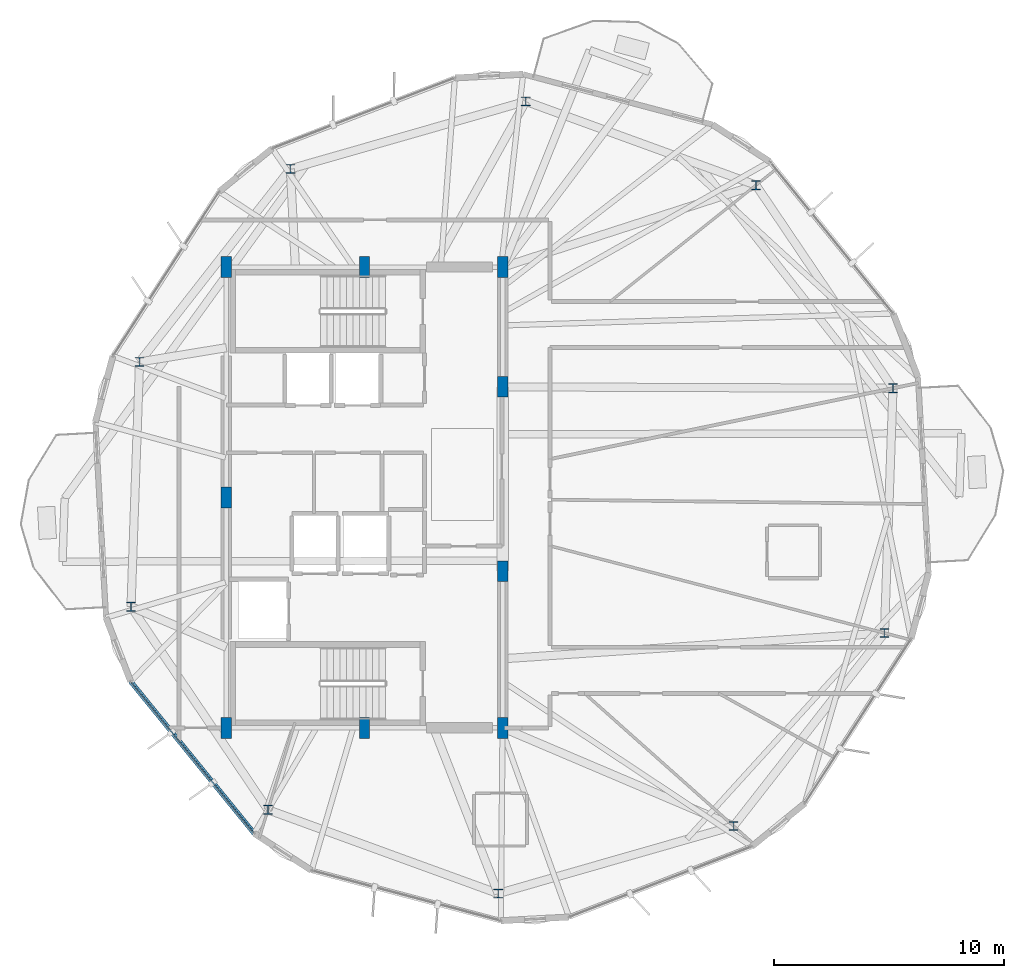
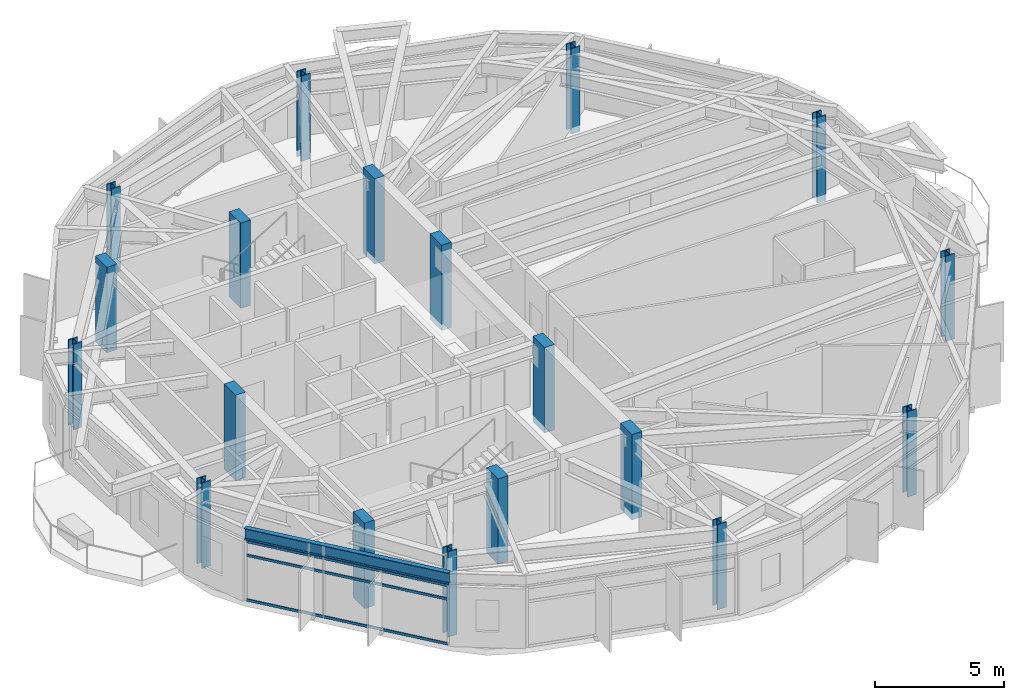
# One storey, part 1 of 26: 19 columns, 3 members, 1 beam, 1 element without a shape of its own.
"""IFC4 building model written with IfcOpenShell, lengths in metres."""

import ifcopenshell
import ifcopenshell.guid

model = None  # the IFC model being written
_history = None  # IfcOwnerHistory: only IFC2X3 demands one
_inside = {}  # id of a spatial element -> (the spatial element, [elements in it])
_under = {}  # id of a project, library or spatial element -> (it, [spatial elements below it])
_declared = {}  # id of a project -> (the project, [libraries it declares])
_typed = {}  # id of a type object -> (the type object, [elements of that type])
_made_of = {}  # id of a material, layer set ... -> (it, [elements and type objects made of it])


def new_model(schema):
    """Start an empty IFC model of exactly this schema.

    Asked for "IFC4X3", IfcOpenShell would pick the latest addendum, in which some entities
    have other attributes; the version numbers below select the first issue.
    IFC2X3 requires an IfcOwnerHistory on every rooted entity: one is made here for all.
    """
    global model, _history
    if schema == "IFC4X3":
        model = ifcopenshell.file(schema_version=(4, 3, 0, 0))
    else:
        model = ifcopenshell.file(schema=schema)
    _inside.clear()
    _under.clear()
    _declared.clear()
    _typed.clear()
    _made_of.clear()
    _history = None
    if model.schema == "IFC2X3":
        org = make("IfcOrganization", Name="unknown")
        user = make(
            "IfcPersonAndOrganization",
            ThePerson=make("IfcPerson", FamilyName="unknown"),
            TheOrganization=org,
        )
        app = make(
            "IfcApplication",
            ApplicationDeveloper=org,
            Version="unknown",
            ApplicationFullName="unknown",
            ApplicationIdentifier="unknown",
        )
        _history = make(
            "IfcOwnerHistory",
            OwningUser=user,
            OwningApplication=app,
            ChangeAction="ADDED",
            CreationDate=0,
        )
    return model


def make(cls, **values):
    """One entity of the class cls with the attributes given. An attribute that is None is left unset."""
    return model.create_entity(
        cls, **{name: value for name, value in values.items() if value is not None}
    )


def rooted(cls, **values):
    """An entity with a GlobalId (a new one), such as an element, a storey or a relation."""
    return make(cls, GlobalId=ifcopenshell.guid.new(), OwnerHistory=_history, **values)


def si_unit(unit_type, name, prefix=None):
    """IfcSIUnit, for example si_unit("LENGTHUNIT", "METRE", prefix="MILLI")."""
    return make("IfcSIUnit", UnitType=unit_type, Prefix=prefix, Name=name)


def assignment(units):
    """IfcUnitAssignment: the units of a project."""
    return None if units is None else make("IfcUnitAssignment", Units=units)


def point(xyz):
    """IfcCartesianPoint."""
    return None if xyz is None else make("IfcCartesianPoint", Coordinates=xyz)


def direction(xyz):
    """IfcDirection."""
    return None if xyz is None else make("IfcDirection", DirectionRatios=xyz)


def frame(location, z_axis=None, x_axis=None):
    """IfcAxis2Placement3D, a coordinate frame: its origin and axes. An axis left out is left unset."""
    return make(
        "IfcAxis2Placement3D",
        Location=point(location),
        Axis=direction(z_axis),
        RefDirection=direction(x_axis),
    )


def frame_2d(location, x_axis=None):
    """IfcAxis2Placement2D, a coordinate frame in the plane: its origin and x axis."""
    return make(
        "IfcAxis2Placement2D", Location=point(location), RefDirection=direction(x_axis)
    )


def origin():
    """The frame at (0, 0, 0) with its axes left unset."""
    return frame((0.0, 0.0, 0.0))


def origin_2d():
    """The frame at (0, 0) in the plane with its x axis left unset."""
    return frame_2d((0.0, 0.0))


def place(relative_to, where):
    """IfcLocalPlacement: puts the frame where relative to a parent placement (None: the world)."""
    return make(
        "IfcLocalPlacement", PlacementRelTo=relative_to, RelativePlacement=where
    )


def context(
    kind, dimensions, precision=None, world=None, true_north=None, identifier=None
):
    """IfcGeometricRepresentationContext, for example the 3D "Model" context."""
    return make(
        "IfcGeometricRepresentationContext",
        ContextIdentifier=identifier,
        ContextType=kind,
        CoordinateSpaceDimension=dimensions,
        Precision=precision,
        WorldCoordinateSystem=world,
        TrueNorth=true_north,
    )


def subcontext(parent, identifier, kind, view, scale=None):
    """IfcGeometricRepresentationSubContext, for example "Body" below "Model"."""
    return make(
        "IfcGeometricRepresentationSubContext",
        ContextIdentifier=identifier,
        ContextType=kind,
        ParentContext=parent,
        TargetScale=scale,
        TargetView=view,
    )


def project(units=None, contexts=None):
    """IfcProject with its units and contexts."""
    return rooted(
        "IfcProject",
        Name="project",
        RepresentationContexts=contexts,
        UnitsInContext=assignment(units),
    )


def spatial(cls, under=None, at=None, **own):
    """A site, building, storey or space (cls), placed at a placement, below another one or the project."""
    s = rooted(cls, ObjectPlacement=at, **own)
    if under is not None:
        _under.setdefault(under.id(), (under, []))[1].append(s)
    return s


def profile(cls, at=None, kind="AREA", **sizes):
    """A parametric profile (cls). Its sizes go by their IFC names, for example OverallWidth=200.0."""
    return make(cls, ProfileType=kind, Position=at, **sizes)


def rectangle(**sizes):
    """IfcRectangleProfileDef."""
    return profile("IfcRectangleProfileDef", **sizes)


def hollow_rectangle(**sizes):
    """IfcRectangleHollowProfileDef."""
    return profile("IfcRectangleHollowProfileDef", **sizes)


def i_section(**sizes):
    """IfcIShapeProfileDef."""
    return profile("IfcIShapeProfileDef", **sizes)


def extrude(swept, where, along, depth):
    """IfcExtrudedAreaSolid: the profile swept, set in the frame where, extruded along a direction by depth."""
    return make(
        "IfcExtrudedAreaSolid",
        SweptArea=swept,
        Position=where,
        ExtrudedDirection=direction(along),
        Depth=depth,
    )


def shape(context_of_items, identifier, shape_type, items):
    """IfcShapeRepresentation: the items that make up one representation, for example the "Body"."""
    return make(
        "IfcShapeRepresentation",
        ContextOfItems=context_of_items,
        RepresentationIdentifier=identifier,
        RepresentationType=shape_type,
        Items=items,
    )


def material(Name=None, Category=None):
    """IfcMaterial."""
    return make("IfcMaterial", Name=Name, Category=Category)


def layer(
    of_material, thickness, ventilated=None, Name=None, Category=None, Priority=None
):
    """IfcMaterialLayer: one layer of a wall or slab, of a material (None: an air gap)."""
    return make(
        "IfcMaterialLayer",
        Material=of_material,
        LayerThickness=thickness,
        IsVentilated=ventilated,
        Name=Name,
        Category=Category,
        Priority=Priority,
    )


def layer_set(layers, Name=None):
    """IfcMaterialLayerSet."""
    return make("IfcMaterialLayerSet", MaterialLayers=layers, LayerSetName=Name)


def material_profile(
    of_material, cross_section, Name=None, Category=None, Priority=None
):
    """IfcMaterialProfile: a cross section and its material."""
    return make(
        "IfcMaterialProfile",
        Name=Name,
        Material=of_material,
        Profile=cross_section,
        Priority=Priority,
        Category=Category,
    )


def profile_set(profiles, Name=None, composite=None):
    """IfcMaterialProfileSet."""
    return make(
        "IfcMaterialProfileSet",
        Name=Name,
        MaterialProfiles=profiles,
        CompositeProfile=composite,
    )


def made_of(thing, what):
    """Note that an element or type object is made of a material, layer set ...; save() writes the relation."""
    if what is not None:
        _made_of.setdefault(what.id(), (what, []))[1].append(thing)
    return thing


def type_object(cls, material=None, **own):
    """A type object (cls), such as IfcWallType, which elements share."""
    return made_of(rooted(cls, **own), material)


def element(
    cls,
    number,
    at=None,
    inside=None,
    cuts=None,
    type_object=None,
    material=None,
    context=None,
    identifier="Body",
    shape_type=None,
    held_by="IfcProductDefinitionShape",
    body=None,
    shapes=None,
    **own,
):
    """One element of the class cls, such as IfcWall. Its Tag is "e" and its number.

    at: its placement. inside: the storey or other place that contains it. cuts: it is an
    opening in that element (IfcRelVoidsElement). A single representation is given by context,
    identifier, shape_type and body (its items); several are given by shapes. held_by: the class
    of the entity that holds the representations. save() writes the other relations.
    """
    e = rooted(cls, Tag="e%d" % number, ObjectPlacement=at, **own)
    if body is not None:
        shapes = [shape(context, identifier, shape_type, body)]
    if shapes is not None:
        e.Representation = make(held_by, Representations=shapes)
    if inside is not None:
        _inside.setdefault(inside.id(), (inside, []))[1].append(e)
    if cuts is not None:
        rooted(
            "IfcRelVoidsElement", RelatingBuildingElement=cuts, RelatedOpeningElement=e
        )
    if type_object is not None:
        _typed.setdefault(type_object.id(), (type_object, []))[1].append(e)
    return made_of(e, material)


def aggregate(whole, parts):
    """IfcRelAggregates: a whole, such as a stair, and the parts it consists of."""
    return rooted("IfcRelAggregates", RelatingObject=whole, RelatedObjects=parts)


def save(model, path):
    """Write the relations noted so far, then the file.

    IfcRelAggregates (storeys below a building ...), IfcRelContainedInSpatialStructure (elements
    in a storey), IfcRelDefinesByType, IfcRelAssociatesMaterial and IfcRelDeclares: one each for
    every whole, place, type object, material and project.
    """
    for whole, parts in _under.values():
        aggregate(whole, parts)
    for where, things in _inside.values():
        rooted(
            "IfcRelContainedInSpatialStructure",
            RelatedElements=things,
            RelatingStructure=where,
        )
    for kind, things in _typed.values():
        rooted("IfcRelDefinesByType", RelatedObjects=things, RelatingType=kind)
    for what, things in _made_of.values():
        rooted("IfcRelAssociatesMaterial", RelatedObjects=things, RelatingMaterial=what)
    for by, libraries in _declared.values():
        rooted("IfcRelDeclares", RelatingContext=by, RelatedDefinitions=libraries)
    model.write(path)


model = new_model("IFC4")

# Units and contexts
model_context = context("Model", 3, precision=1e-05, world=origin(), true_north=direction((0.0, 1.0)))
body_context = subcontext(model_context, "Body", "Model", "MODEL_VIEW")
ifc_project = project(units=[si_unit("LENGTHUNIT", "METRE"), si_unit("AREAUNIT", "SQUARE_METRE"), si_unit("VOLUMEUNIT", "CUBIC_METRE"), si_unit("PLANEANGLEUNIT", "RADIAN"), si_unit("MASSUNIT", "GRAM", prefix="KILO")], contexts=[model_context])

# Site, building, storey
site_placement = place(None, origin())
site = spatial("IfcSite", under=ifc_project, at=site_placement, CompositionType="ELEMENT")
building_placement = place(site_placement, origin())
building = spatial("IfcBuilding", under=site, at=building_placement, Name="Soratama Intermodal Tower", CompositionType="ELEMENT")
storey_placement = place(building_placement, frame((0.0, 0.0, 242.5)))
storey = spatial("IfcBuildingStorey", under=building, at=storey_placement, Name="L61", CompositionType="ELEMENT", Elevation=242.5)

# Columns
ifc_material_1 = material(Name="Structural steel ASTM A992 Grade 50", Category="steel")
ifc_material_profile_1 = material_profile(ifc_material_1, i_section(OverallWidth=0.40087890625, OverallDepth=0.39892578125, WebThickness=0.02490234375, FlangeThickness=0.03955078125, FilletRadius=0.0380859375, at=origin_2d()), Name="W14X211")
ifc_profile_set_1 = profile_set([ifc_material_profile_1], Name="Structural steel ASTM A992 Grade 50")
column_type_1 = type_object("IfcColumnType", Name="COL-ZE-W14X211", PredefinedType="COLUMN", material=ifc_profile_set_1)
for number, where, z_axis, x_axis, name in (
    (1, (61.53369140625, 29.740966796875, -0.300048828125), (0.0, 0.0, 1.0), (1.0, 0.0, 0.0), "L61 Tower Ring Column R01"),
    (2, (55.58935546875, 38.5537109375, -0.300048828125), (0.0, 0.0, 1.0), (1.0, 0.0, 0.0), "L61 Tower Ring Column R02"),
    (3, (45.600341796875, 42.189453125, -0.300048828125), (0.0, 0.0, 1.0), (1.0, 0.0, 0.0), "L61 Tower Ring Column R03"),
    (4, (35.3818359375, 39.259521484375, -0.300048828125), (0.0, 0.0, 1.0), (1.0, 0.0, 0.0), "L61 Tower Ring Column R04"),
    (5, (28.83740234375, 30.8828125, -0.300048828125), (0.0, 0.0, 1.0), (1.0, 0.0, 0.0), "L61 Tower Ring Column R05"),
    (6, (28.46630859375, 20.259033203125, -0.300048828125), (0.0, 0.0, 1.0), (1.0, 0.0, 0.0), "L61 Tower Ring Column R06"),
    (7, (34.41064453125, 11.4462890625, -0.300048828125), (0.0, 0.0, 1.0), (1.0, 0.0, 0.0), "L61 Tower Ring Column R07"),
    (8, (44.399658203125, 7.810546875, -0.300048828125), (0.0, 0.0, 1.0), (1.0, 0.0, 0.0), "L61 Tower Ring Column R08"),
    (9, (54.6181640625, 10.740478515625, -0.300048828125), (0.0, 0.0, 1.0), (1.0, 0.0, 0.0), "L61 Tower Ring Column R09"),
    (10, (61.16259765625, 19.1171875, -0.300048828125), (0.0, 0.0, 1.0), (1.0, 0.0, 0.0), "L61 Tower Ring Column R10"),
):
    element("IfcColumn", number, at=place(storey_placement, frame(where, z_axis=z_axis, x_axis=x_axis)), inside=storey, type_object=column_type_1, Name=name, PredefinedType="COLUMN", context=body_context, shape_type="SweptSolid", body=[
        extrude(i_section(OverallWidth=0.40087890625, OverallDepth=0.39892578125, WebThickness=0.02490234375, FlangeThickness=0.03955078125, FilletRadius=0.0380859375, at=origin_2d()), origin(), (0.0, 0.0, 1.0), 4.050048828125),
    ])
ifc_material_2 = material(Name="Concrete f'c 56 MPa", Category="concrete")
ifc_material_profile_2 = material_profile(ifc_material_2, rectangle(XDim=0.449951171875, YDim=0.89990234375, at=origin_2d()), Name="RC450X900")
ifc_profile_set_2 = profile_set([ifc_material_profile_2], Name="Concrete f'c 56 MPa")
column_type_2 = type_object("IfcColumnType", Name="PIL-CORE-450X900", PredefinedType="PILASTER", material=ifc_profile_set_2)
for number, where, z_axis, x_axis, name in (
    (11, (32.60009765625, 15.0, -0.300048828125), (0.0, 0.0, 1.0), (1.0, 0.0, 0.0), "L61 Core Pilaster 1"),
    (12, (32.60009765625, 25.0, -0.300048828125), (0.0, 0.0, 1.0), (1.0, 0.0, 0.0), "L61 Core Pilaster 2"),
    (13, (32.60009765625, 35.0, -0.300048828125), (0.0, 0.0, 1.0), (1.0, 0.0, 0.0), "L61 Core Pilaster 3"),
    (14, (38.60009765625, 15.0, -0.300048828125), (0.0, 0.0, 1.0), (1.0, 0.0, 0.0), "L61 Core Pilaster 4"),
    (15, (38.60009765625, 35.0, -0.300048828125), (0.0, 0.0, 1.0), (1.0, 0.0, 0.0), "L61 Core Pilaster 5"),
    (16, (44.60009765625, 15.0, -0.300048828125), (0.0, 0.0, 1.0), (1.0, 0.0, 0.0), "L61 Core Pilaster 6"),
    (17, (44.60009765625, 21.800048828125, -0.300048828125), (0.0, 0.0, 1.0), (1.0, 0.0, 0.0), "L61 Core Pilaster 7"),
    (18, (44.60009765625, 29.800048828125, -0.300048828125), (0.0, 0.0, 1.0), (1.0, 0.0, 0.0), "L61 Core Pilaster 8"),
    (19, (44.60009765625, 35.0, -0.300048828125), (0.0, 0.0, 1.0), (1.0, 0.0, 0.0), "L61 Core Pilaster 9"),
):
    element("IfcColumn", number, at=place(storey_placement, frame(where, z_axis=z_axis, x_axis=x_axis)), inside=storey, type_object=column_type_2, Name=name, PredefinedType="PILASTER", context=body_context, shape_type="SweptSolid", body=[
        extrude(rectangle(XDim=0.449951171875, YDim=0.89990234375, at=origin_2d()), origin(), (0.0, 0.0, 1.0), 4.050048828125),
    ])

# Beam
ifc_material_3 = material(Name="Structural steel ASTM A992 Grade 50", Category="steel")
ifc_material_profile_3 = material_profile(ifc_material_3, i_section(OverallWidth=0.2099609375, OverallDepth=0.537109375, WebThickness=0.010986328125, FlangeThickness=0.017333984375, FilletRadius=0.012939453125, at=origin_2d()), Name="W21X68")
ifc_profile_set_3 = profile_set([ifc_material_profile_3], Name="Structural steel ASTM A992 Grade 50")
beam_type = type_object("IfcBeamType", Name="BM-SPN-W21X68", PredefinedType="SPANDREL", material=ifc_profile_set_3)
beam_placement = place(storey_placement, frame((28.447021484375, 17.01611328125, 3.181396484375), z_axis=(0.630976433532, -0.775801998146, 0.0), x_axis=(0.775801998146, 0.630976433532, 0.0)))
element("IfcBeam", 20, at=beam_placement, inside=storey, type_object=beam_type, Name="BS-L61-F05", PredefinedType="SPANDREL", context=body_context, shape_type="SweptSolid", body=[
    extrude(i_section(OverallWidth=0.2099609375, OverallDepth=0.537109375, WebThickness=0.010986328125, FlangeThickness=0.017333984375, FilletRadius=0.012939453125, at=origin_2d()), origin(), (0.0, 0.0, 1.0), 8.49951171875),
])

# Curtain wall, members
ifc_material_4 = material(Name="Double-glazed aluminium curtain wall", Category="aluminium")
ifc_layer = layer(ifc_material_4, 0.159912109375)
ifc_layer_set = layer_set([ifc_layer], Name="Double-glazed aluminium curtain wall")
curtain_wall_type = type_object("IfcCurtainWallType", Name="CW-SYS-5", PredefinedType="NOTDEFINED", material=ifc_layer_set)
curtain_wall_placement = place(storey_placement, origin())
curtain_wall = element("IfcCurtainWall", 21, at=curtain_wall_placement, inside=storey, type_object=curtain_wall_type, Name="L61 Faceted Curtain Wall F05", PredefinedType="NOTDEFINED")
ifc_material_5 = material(Name="Anodised aluminium AA 6063-T6", Category="aluminium")
ifc_material_profile_4 = material_profile(ifc_material_5, hollow_rectangle(XDim=0.06005859375, YDim=0.1298828125, WallThickness=0.0048828125, InnerFilletRadius=0.0048828125, OuterFilletRadius=0.010009765625, at=origin_2d()), Name="CWT130X60X5")
ifc_profile_set_4 = profile_set([ifc_material_profile_4], Name="Anodised aluminium AA 6063-T6")
member_type = type_object("IfcMemberType", Name="TT-CWT-2", PredefinedType="USERDEFINED", material=ifc_profile_set_4)
member_1_placement = place(storey_placement, frame((28.48486328125, 16.96923828125, 0.030029296875), z_axis=(0.630956714187, -0.775818035896, 0.0), x_axis=(0.775818035896, 0.630956714187, 0.0)))
member_1 = element("IfcMember", 22, at=member_1_placement, type_object=member_type, Name="CW-5 transom 1.1", ObjectType="TRANSOM", PredefinedType="USERDEFINED", context=body_context, shape_type="SweptSolid", body=[
    extrude(hollow_rectangle(XDim=0.06005859375, YDim=0.1298828125, WallThickness=0.0048828125, InnerFilletRadius=0.0048828125, OuterFilletRadius=0.010009765625, at=origin_2d()), origin(), (0.0, 0.0, 1.0), 8.37939453125),
])
member_2_placement = place(storey_placement, frame((28.48486328125, 16.96923828125, 2.14990234375), z_axis=(0.630956714187, -0.775818035896, 0.0), x_axis=(0.775818035896, 0.630956714187, 0.0)))
member_2 = element("IfcMember", 23, at=member_2_placement, type_object=member_type, Name="CW-5 transom 1.2", ObjectType="TRANSOM", PredefinedType="USERDEFINED", context=body_context, shape_type="SweptSolid", body=[
    extrude(hollow_rectangle(XDim=0.06005859375, YDim=0.1298828125, WallThickness=0.0048828125, InnerFilletRadius=0.0048828125, OuterFilletRadius=0.010009765625, at=origin_2d()), origin(), (0.0, 0.0, 1.0), 8.37939453125),
])
member_3_placement = place(storey_placement, frame((28.48486328125, 16.96923828125, 2.799072265625), z_axis=(0.630956714187, -0.775818035896, 0.0), x_axis=(0.775818035896, 0.630956714187, 0.0)))
member_3 = element("IfcMember", 24, at=member_3_placement, type_object=member_type, Name="CW-5 transom 1.3", ObjectType="TRANSOM", PredefinedType="USERDEFINED", context=body_context, shape_type="SweptSolid", body=[
    extrude(hollow_rectangle(XDim=0.06005859375, YDim=0.1298828125, WallThickness=0.0048828125, InnerFilletRadius=0.0048828125, OuterFilletRadius=0.010009765625, at=origin_2d()), origin(), (0.0, 0.0, 1.0), 8.37939453125),
])
aggregate(curtain_wall, [member_1, member_2, member_3])

save(model, "model.ifc")
